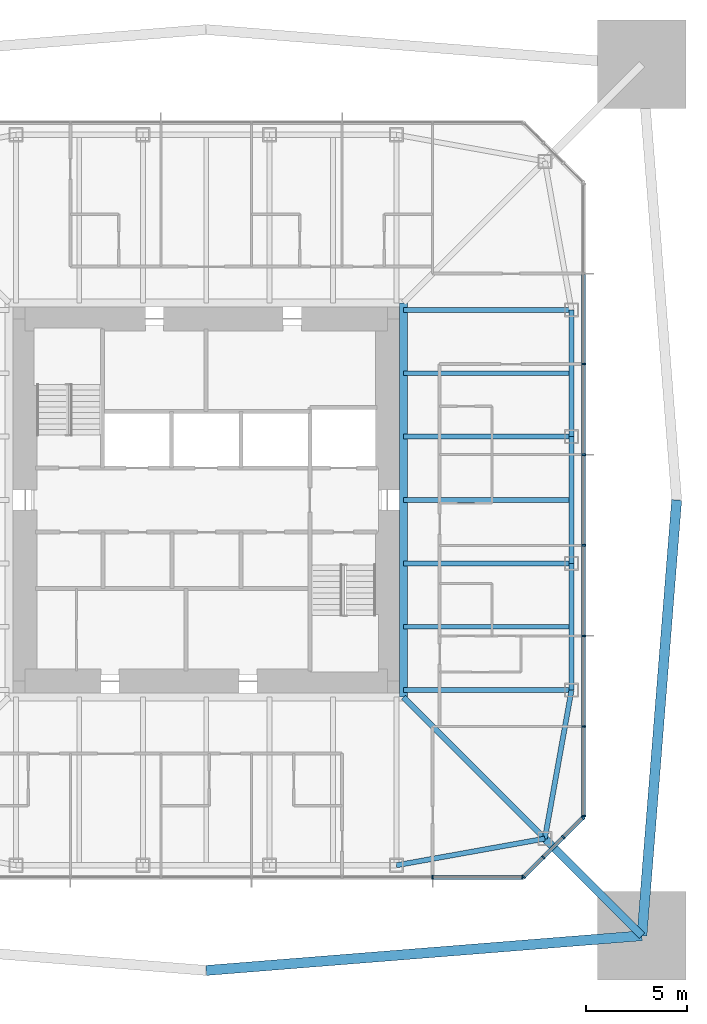
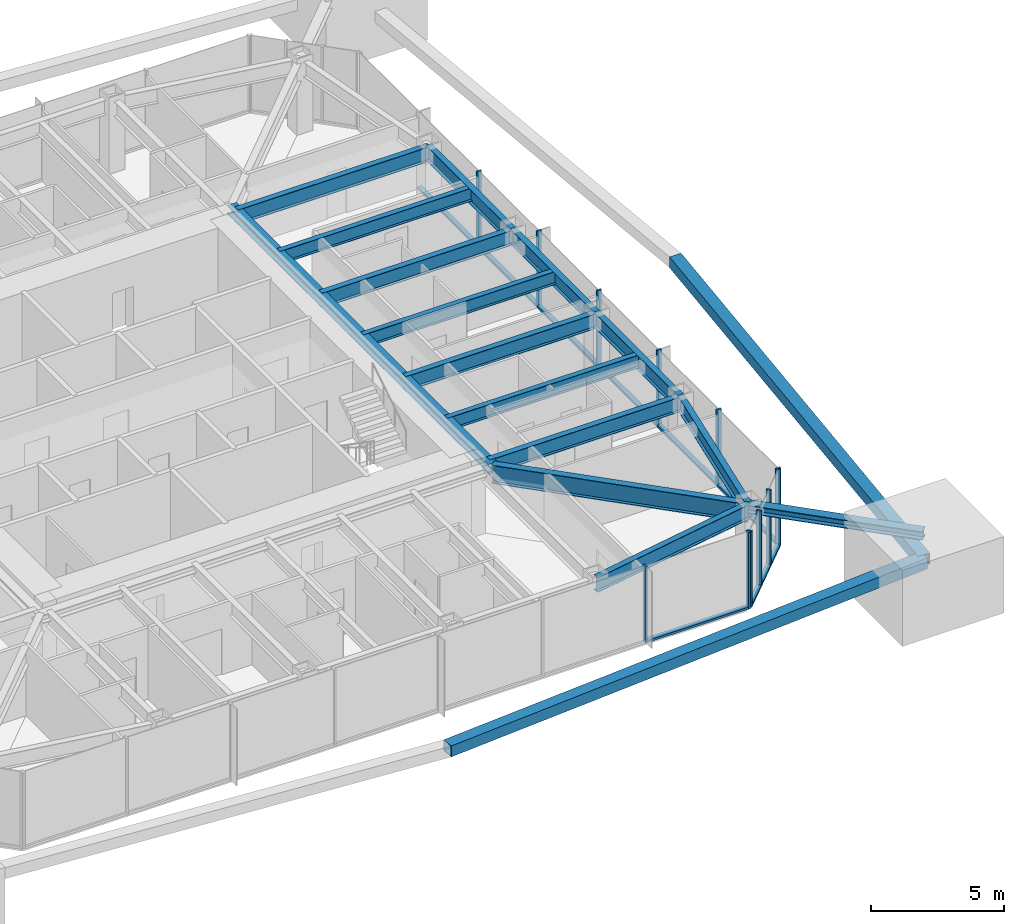
# One storey, part 4 of 13: 25 members, 14 beams, 3 elements without a shape of their own.
"""IFC4 building model written with IfcOpenShell, lengths in metres."""

import ifcopenshell
import ifcopenshell.guid

model = None  # the IFC model being written
_history = None  # IfcOwnerHistory: only IFC2X3 demands one
_inside = {}  # id of a spatial element -> (the spatial element, [elements in it])
_under = {}  # id of a project, library or spatial element -> (it, [spatial elements below it])
_declared = {}  # id of a project -> (the project, [libraries it declares])
_typed = {}  # id of a type object -> (the type object, [elements of that type])
_made_of = {}  # id of a material, layer set ... -> (it, [elements and type objects made of it])


def new_model(schema):
    """Start an empty IFC model of exactly this schema.

    Asked for "IFC4X3", IfcOpenShell would pick the latest addendum, in which some entities
    have other attributes; the version numbers below select the first issue.
    IFC2X3 requires an IfcOwnerHistory on every rooted entity: one is made here for all.
    """
    global model, _history
    if schema == "IFC4X3":
        model = ifcopenshell.file(schema_version=(4, 3, 0, 0))
    else:
        model = ifcopenshell.file(schema=schema)
    _inside.clear()
    _under.clear()
    _declared.clear()
    _typed.clear()
    _made_of.clear()
    _history = None
    if model.schema == "IFC2X3":
        org = make("IfcOrganization", Name="unknown")
        user = make(
            "IfcPersonAndOrganization",
            ThePerson=make("IfcPerson", FamilyName="unknown"),
            TheOrganization=org,
        )
        app = make(
            "IfcApplication",
            ApplicationDeveloper=org,
            Version="unknown",
            ApplicationFullName="unknown",
            ApplicationIdentifier="unknown",
        )
        _history = make(
            "IfcOwnerHistory",
            OwningUser=user,
            OwningApplication=app,
            ChangeAction="ADDED",
            CreationDate=0,
        )
    return model


def make(cls, **values):
    """One entity of the class cls with the attributes given. An attribute that is None is left unset."""
    return model.create_entity(
        cls, **{name: value for name, value in values.items() if value is not None}
    )


def rooted(cls, **values):
    """An entity with a GlobalId (a new one), such as an element, a storey or a relation."""
    return make(cls, GlobalId=ifcopenshell.guid.new(), OwnerHistory=_history, **values)


def si_unit(unit_type, name, prefix=None):
    """IfcSIUnit, for example si_unit("LENGTHUNIT", "METRE", prefix="MILLI")."""
    return make("IfcSIUnit", UnitType=unit_type, Prefix=prefix, Name=name)


def assignment(units):
    """IfcUnitAssignment: the units of a project."""
    return None if units is None else make("IfcUnitAssignment", Units=units)


def point(xyz):
    """IfcCartesianPoint."""
    return None if xyz is None else make("IfcCartesianPoint", Coordinates=xyz)


def direction(xyz):
    """IfcDirection."""
    return None if xyz is None else make("IfcDirection", DirectionRatios=xyz)


def frame(location, z_axis=None, x_axis=None):
    """IfcAxis2Placement3D, a coordinate frame: its origin and axes. An axis left out is left unset."""
    return make(
        "IfcAxis2Placement3D",
        Location=point(location),
        Axis=direction(z_axis),
        RefDirection=direction(x_axis),
    )


def frame_2d(location, x_axis=None):
    """IfcAxis2Placement2D, a coordinate frame in the plane: its origin and x axis."""
    return make(
        "IfcAxis2Placement2D", Location=point(location), RefDirection=direction(x_axis)
    )


def origin():
    """The frame at (0, 0, 0) with its axes left unset."""
    return frame((0.0, 0.0, 0.0))


def origin_2d():
    """The frame at (0, 0) in the plane with its x axis left unset."""
    return frame_2d((0.0, 0.0))


def place(relative_to, where):
    """IfcLocalPlacement: puts the frame where relative to a parent placement (None: the world)."""
    return make(
        "IfcLocalPlacement", PlacementRelTo=relative_to, RelativePlacement=where
    )


def context(
    kind, dimensions, precision=None, world=None, true_north=None, identifier=None
):
    """IfcGeometricRepresentationContext, for example the 3D "Model" context."""
    return make(
        "IfcGeometricRepresentationContext",
        ContextIdentifier=identifier,
        ContextType=kind,
        CoordinateSpaceDimension=dimensions,
        Precision=precision,
        WorldCoordinateSystem=world,
        TrueNorth=true_north,
    )


def subcontext(parent, identifier, kind, view, scale=None):
    """IfcGeometricRepresentationSubContext, for example "Body" below "Model"."""
    return make(
        "IfcGeometricRepresentationSubContext",
        ContextIdentifier=identifier,
        ContextType=kind,
        ParentContext=parent,
        TargetScale=scale,
        TargetView=view,
    )


def project(units=None, contexts=None):
    """IfcProject with its units and contexts."""
    return rooted(
        "IfcProject",
        Name="project",
        RepresentationContexts=contexts,
        UnitsInContext=assignment(units),
    )


def spatial(cls, under=None, at=None, **own):
    """A site, building, storey or space (cls), placed at a placement, below another one or the project."""
    s = rooted(cls, ObjectPlacement=at, **own)
    if under is not None:
        _under.setdefault(under.id(), (under, []))[1].append(s)
    return s


def profile(cls, at=None, kind="AREA", **sizes):
    """A parametric profile (cls). Its sizes go by their IFC names, for example OverallWidth=200.0."""
    return make(cls, ProfileType=kind, Position=at, **sizes)


def rectangle(**sizes):
    """IfcRectangleProfileDef."""
    return profile("IfcRectangleProfileDef", **sizes)


def hollow_rectangle(**sizes):
    """IfcRectangleHollowProfileDef."""
    return profile("IfcRectangleHollowProfileDef", **sizes)


def i_section(**sizes):
    """IfcIShapeProfileDef."""
    return profile("IfcIShapeProfileDef", **sizes)


def extrude(swept, where, along, depth):
    """IfcExtrudedAreaSolid: the profile swept, set in the frame where, extruded along a direction by depth."""
    return make(
        "IfcExtrudedAreaSolid",
        SweptArea=swept,
        Position=where,
        ExtrudedDirection=direction(along),
        Depth=depth,
    )


def shape(context_of_items, identifier, shape_type, items):
    """IfcShapeRepresentation: the items that make up one representation, for example the "Body"."""
    return make(
        "IfcShapeRepresentation",
        ContextOfItems=context_of_items,
        RepresentationIdentifier=identifier,
        RepresentationType=shape_type,
        Items=items,
    )


def material(Name=None, Category=None):
    """IfcMaterial."""
    return make("IfcMaterial", Name=Name, Category=Category)


def material_profile(
    of_material, cross_section, Name=None, Category=None, Priority=None
):
    """IfcMaterialProfile: a cross section and its material."""
    return make(
        "IfcMaterialProfile",
        Name=Name,
        Material=of_material,
        Profile=cross_section,
        Priority=Priority,
        Category=Category,
    )


def profile_set(profiles, Name=None, composite=None):
    """IfcMaterialProfileSet."""
    return make(
        "IfcMaterialProfileSet",
        Name=Name,
        MaterialProfiles=profiles,
        CompositeProfile=composite,
    )


def made_of(thing, what):
    """Note that an element or type object is made of a material, layer set ...; save() writes the relation."""
    if what is not None:
        _made_of.setdefault(what.id(), (what, []))[1].append(thing)
    return thing


def type_object(cls, material=None, **own):
    """A type object (cls), such as IfcWallType, which elements share."""
    return made_of(rooted(cls, **own), material)


def element(
    cls,
    number,
    at=None,
    inside=None,
    cuts=None,
    type_object=None,
    material=None,
    context=None,
    identifier="Body",
    shape_type=None,
    held_by="IfcProductDefinitionShape",
    body=None,
    shapes=None,
    **own,
):
    """One element of the class cls, such as IfcWall. Its Tag is "e" and its number.

    at: its placement. inside: the storey or other place that contains it. cuts: it is an
    opening in that element (IfcRelVoidsElement). A single representation is given by context,
    identifier, shape_type and body (its items); several are given by shapes. held_by: the class
    of the entity that holds the representations. save() writes the other relations.
    """
    e = rooted(cls, Tag="e%d" % number, ObjectPlacement=at, **own)
    if body is not None:
        shapes = [shape(context, identifier, shape_type, body)]
    if shapes is not None:
        e.Representation = make(held_by, Representations=shapes)
    if inside is not None:
        _inside.setdefault(inside.id(), (inside, []))[1].append(e)
    if cuts is not None:
        rooted(
            "IfcRelVoidsElement", RelatingBuildingElement=cuts, RelatedOpeningElement=e
        )
    if type_object is not None:
        _typed.setdefault(type_object.id(), (type_object, []))[1].append(e)
    return made_of(e, material)


def aggregate(whole, parts):
    """IfcRelAggregates: a whole, such as a stair, and the parts it consists of."""
    return rooted("IfcRelAggregates", RelatingObject=whole, RelatedObjects=parts)


def save(model, path):
    """Write the relations noted so far, then the file.

    IfcRelAggregates (storeys below a building ...), IfcRelContainedInSpatialStructure (elements
    in a storey), IfcRelDefinesByType, IfcRelAssociatesMaterial and IfcRelDeclares: one each for
    every whole, place, type object, material and project.
    """
    for whole, parts in _under.values():
        aggregate(whole, parts)
    for where, things in _inside.values():
        rooted(
            "IfcRelContainedInSpatialStructure",
            RelatedElements=things,
            RelatingStructure=where,
        )
    for kind, things in _typed.values():
        rooted("IfcRelDefinesByType", RelatedObjects=things, RelatingType=kind)
    for what, things in _made_of.values():
        rooted("IfcRelAssociatesMaterial", RelatedObjects=things, RelatingMaterial=what)
    for by, libraries in _declared.values():
        rooted("IfcRelDeclares", RelatingContext=by, RelatedDefinitions=libraries)
    model.write(path)


model = new_model("IFC4")

# Units and contexts
model_context = context("Model", 3, precision=1e-05, world=origin(), true_north=direction((0.0, 1.0)))
body_context = subcontext(model_context, "Body", "Model", "MODEL_VIEW")
ifc_project = project(units=[si_unit("LENGTHUNIT", "METRE"), si_unit("AREAUNIT", "SQUARE_METRE"), si_unit("VOLUMEUNIT", "CUBIC_METRE"), si_unit("PLANEANGLEUNIT", "RADIAN"), si_unit("MASSUNIT", "GRAM", prefix="KILO")], contexts=[model_context])

# Site, building, storey
site_placement = place(None, origin())
site = spatial("IfcSite", under=ifc_project, at=site_placement, CompositionType="ELEMENT")
building_placement = place(site_placement, origin())
building = spatial("IfcBuilding", under=site, at=building_placement, Name="Iwan Alto Co-Living Towers", CompositionType="ELEMENT")
storey_placement = place(building_placement, frame((0.0, 0.0, 160.0)))
storey = spatial("IfcBuildingStorey", under=building, at=storey_placement, Name="L43", CompositionType="ELEMENT", Elevation=160.0)

# Curtain wall, members
ifc_material_1 = material(Name="Bronze aluminium unitised frame", Category="aluminium")
curtain_wall_type_1 = type_object("IfcCurtainWallType", Name="CURTAIN WALL CW-A", PredefinedType="NOTDEFINED", material=ifc_material_1)
curtain_wall_1_placement = place(storey_placement, origin())
curtain_wall_1 = element("IfcCurtainWall", 1, at=curtain_wall_1_placement, inside=storey, type_object=curtain_wall_type_1, Name="T1 curtain wall S L43", PredefinedType="NOTDEFINED")
ifc_material_2 = material(Name="Aluminium 6063-T6 bronze anodised", Category="aluminium")
ifc_material_profile_1 = material_profile(ifc_material_2, rectangle(XDim=0.199951171875, YDim=0.080078125, at=origin_2d()), Name="AL 80X200")
ifc_profile_set_1 = profile_set([ifc_material_profile_1], Name="Aluminium 6063-T6 bronze anodised")
member_type_1 = type_object("IfcMemberType", Name="CW-A MULLION 80X200", PredefinedType="MULLION", material=ifc_profile_set_1)
member_1_placement = place(storey_placement, frame((11.25, -18.75, 0.0), z_axis=(0.0, 0.0, 1.0), x_axis=(0.0, 1.0, 0.0)))
member_1 = element("IfcMember", 2, at=member_1_placement, type_object=member_type_1, Name="CW-A mullion 7", PredefinedType="MULLION", context=body_context, shape_type="SweptSolid", body=[
    extrude(rectangle(XDim=0.199951171875, YDim=0.080078125, at=origin_2d()), origin(), (0.0, 0.0, 1.0), 3.5),
])
member_2_placement = place(storey_placement, frame((15.7099609375, -18.75, 0.0), z_axis=(0.0, 0.0, 1.0), x_axis=(0.0, 1.0, 0.0)))
member_2 = element("IfcMember", 3, at=member_2_placement, type_object=member_type_1, Name="CW-A mullion 8", PredefinedType="MULLION", context=body_context, shape_type="SweptSolid", body=[
    extrude(rectangle(XDim=0.199951171875, YDim=0.080078125, at=origin_2d()), origin(), (0.0, 0.0, 1.0), 3.5),
])

curtain_wall_2_placement = place(storey_placement, origin())
curtain_wall_2 = element("IfcCurtainWall", 4, at=curtain_wall_2_placement, inside=storey, type_object=curtain_wall_type_1, Name="T1 curtain wall E L43", PredefinedType="NOTDEFINED")
member_3_placement = place(storey_placement, frame((18.75, -15.7099609375, 0.0), z_axis=(0.0, 0.0, 1.0), x_axis=(-1.0, 0.0, 0.0)))
member_3 = element("IfcMember", 5, at=member_3_placement, type_object=member_type_1, Name="CW-A mullion 1", PredefinedType="MULLION", context=body_context, shape_type="SweptSolid", body=[
    extrude(rectangle(XDim=0.199951171875, YDim=0.080078125, at=origin_2d()), origin(), (0.0, 0.0, 1.0), 3.5),
])
member_4_placement = place(storey_placement, frame((18.75, -11.25, 0.0), z_axis=(0.0, 0.0, 1.0), x_axis=(-1.0, 0.0, 0.0)))
member_4 = element("IfcMember", 6, at=member_4_placement, type_object=member_type_1, Name="CW-A mullion 2", PredefinedType="MULLION", context=body_context, shape_type="SweptSolid", body=[
    extrude(rectangle(XDim=0.199951171875, YDim=0.080078125, at=origin_2d()), origin(), (0.0, 0.0, 1.0), 3.5),
])
member_5_placement = place(storey_placement, frame((18.75, -6.75, 0.0), z_axis=(0.0, 0.0, 1.0), x_axis=(-1.0, 0.0, 0.0)))
member_5 = element("IfcMember", 7, at=member_5_placement, type_object=member_type_1, Name="CW-A mullion 3", PredefinedType="MULLION", context=body_context, shape_type="SweptSolid", body=[
    extrude(rectangle(XDim=0.199951171875, YDim=0.080078125, at=origin_2d()), origin(), (0.0, 0.0, 1.0), 3.5),
])
member_6_placement = place(storey_placement, frame((18.75, -2.25, 0.0), z_axis=(0.0, 0.0, 1.0), x_axis=(-1.0, 0.0, 0.0)))
member_6 = element("IfcMember", 8, at=member_6_placement, type_object=member_type_1, Name="CW-A mullion 4", PredefinedType="MULLION", context=body_context, shape_type="SweptSolid", body=[
    extrude(rectangle(XDim=0.199951171875, YDim=0.080078125, at=origin_2d()), origin(), (0.0, 0.0, 1.0), 3.5),
])
member_7_placement = place(storey_placement, frame((18.75, 2.25, 0.0), z_axis=(0.0, 0.0, 1.0), x_axis=(-1.0, 0.0, 0.0)))
member_7 = element("IfcMember", 9, at=member_7_placement, type_object=member_type_1, Name="CW-A mullion 5", PredefinedType="MULLION", context=body_context, shape_type="SweptSolid", body=[
    extrude(rectangle(XDim=0.199951171875, YDim=0.080078125, at=origin_2d()), origin(), (0.0, 0.0, 1.0), 3.5),
])
member_8_placement = place(storey_placement, frame((18.75, 6.75, 0.0), z_axis=(0.0, 0.0, 1.0), x_axis=(-1.0, 0.0, 0.0)))
member_8 = element("IfcMember", 10, at=member_8_placement, type_object=member_type_1, Name="CW-A mullion 6", PredefinedType="MULLION", context=body_context, shape_type="SweptSolid", body=[
    extrude(rectangle(XDim=0.199951171875, YDim=0.080078125, at=origin_2d()), origin(), (0.0, 0.0, 1.0), 3.5),
])

# Member
ifc_material_3 = material(Name="Aluminium 6063-T6 bronze anodised", Category="aluminium")
ifc_material_profile_2 = material_profile(ifc_material_3, rectangle(XDim=0.199951171875, YDim=0.10009765625, at=origin_2d()), Name="AL 200X100")
ifc_profile_set_2 = profile_set([ifc_material_profile_2], Name="Aluminium 6063-T6 bronze anodised")
member_type_2 = type_object("IfcMemberType", Name="CW-A TRANSOM 200X100", PredefinedType="USERDEFINED", material=ifc_profile_set_2)
member_9_placement = place(storey_placement, frame((11.2900390625, -18.75, 0.050048828125), z_axis=(1.0, 0.0, 0.0), x_axis=(0.0, 1.0, 0.0)))
member_9 = element("IfcMember", 11, at=member_9_placement, type_object=member_type_2, Name="CW-A transom 7.1", ObjectType="TRANSOM", PredefinedType="USERDEFINED", context=body_context, shape_type="SweptSolid", body=[
    extrude(rectangle(XDim=0.199951171875, YDim=0.10009765625, at=origin_2d()), origin(), (0.0, 0.0, 1.0), 4.3798828125),
])

aggregate(curtain_wall_1, [member_1, member_2, member_9])

member_10_placement = place(storey_placement, frame((18.75, -15.669921875, 0.050048828125), z_axis=(0.0, 1.0, 0.0), x_axis=(-1.0, 0.0, 0.0)))
member_10 = element("IfcMember", 12, at=member_10_placement, type_object=member_type_2, Name="CW-A transom 1.1", ObjectType="TRANSOM", PredefinedType="USERDEFINED", context=body_context, shape_type="SweptSolid", body=[
    extrude(rectangle(XDim=0.199951171875, YDim=0.10009765625, at=origin_2d()), origin(), (0.0, 0.0, 1.0), 4.3798828125),
])

member_11_placement = place(storey_placement, frame((18.75, -11.2099609375, 0.050048828125), z_axis=(0.0, 1.0, 0.0), x_axis=(-1.0, 0.0, 0.0)))
member_11 = element("IfcMember", 13, at=member_11_placement, type_object=member_type_2, Name="CW-A transom 2.1", ObjectType="TRANSOM", PredefinedType="USERDEFINED", context=body_context, shape_type="SweptSolid", body=[
    extrude(rectangle(XDim=0.199951171875, YDim=0.10009765625, at=origin_2d()), origin(), (0.0, 0.0, 1.0), 4.419921875),
])

member_12_placement = place(storey_placement, frame((18.75, -6.7099609375, 0.050048828125), z_axis=(0.0, 1.0, 0.0), x_axis=(-1.0, 0.0, 0.0)))
member_12 = element("IfcMember", 14, at=member_12_placement, type_object=member_type_2, Name="CW-A transom 3.1", ObjectType="TRANSOM", PredefinedType="USERDEFINED", context=body_context, shape_type="SweptSolid", body=[
    extrude(rectangle(XDim=0.199951171875, YDim=0.10009765625, at=origin_2d()), origin(), (0.0, 0.0, 1.0), 4.419921875),
])

member_13_placement = place(storey_placement, frame((18.75, -2.2099609375, 0.050048828125), z_axis=(0.0, 1.0, 0.0), x_axis=(-1.0, 0.0, 0.0)))
member_13 = element("IfcMember", 15, at=member_13_placement, type_object=member_type_2, Name="CW-A transom 4.1", ObjectType="TRANSOM", PredefinedType="USERDEFINED", context=body_context, shape_type="SweptSolid", body=[
    extrude(rectangle(XDim=0.199951171875, YDim=0.10009765625, at=origin_2d()), origin(), (0.0, 0.0, 1.0), 4.419921875),
])

member_14_placement = place(storey_placement, frame((18.75, 2.2900390625, 0.050048828125), z_axis=(0.0, 1.0, 0.0), x_axis=(-1.0, 0.0, 0.0)))
member_14 = element("IfcMember", 16, at=member_14_placement, type_object=member_type_2, Name="CW-A transom 5.1", ObjectType="TRANSOM", PredefinedType="USERDEFINED", context=body_context, shape_type="SweptSolid", body=[
    extrude(rectangle(XDim=0.199951171875, YDim=0.10009765625, at=origin_2d()), origin(), (0.0, 0.0, 1.0), 4.419921875),
])

member_15_placement = place(storey_placement, frame((18.75, 6.7900390625, 0.050048828125), z_axis=(0.0, 1.0, 0.0), x_axis=(-1.0, 0.0, 0.0)))
member_15 = element("IfcMember", 17, at=member_15_placement, type_object=member_type_2, Name="CW-A transom 6.1", ObjectType="TRANSOM", PredefinedType="USERDEFINED", context=body_context, shape_type="SweptSolid", body=[
    extrude(rectangle(XDim=0.199951171875, YDim=0.10009765625, at=origin_2d()), origin(), (0.0, 0.0, 1.0), 4.419921875),
])

aggregate(curtain_wall_2, [member_3, member_4, member_5, member_6, member_7, member_8, member_10, member_11, member_12, member_13, member_14, member_15])

# Curtain wall, members
ifc_material_4 = material(Name="Bronze aluminium unitised frame", Category="aluminium")
curtain_wall_type_2 = type_object("IfcCurtainWallType", Name="CURTAIN WALL CW-B", PredefinedType="NOTDEFINED", material=ifc_material_4)
curtain_wall_3_placement = place(storey_placement, origin())
curtain_wall_3 = element("IfcCurtainWall", 18, at=curtain_wall_3_placement, inside=storey, type_object=curtain_wall_type_2, Name="T1 chamfer curtain wall SE L43", PredefinedType="NOTDEFINED")
ifc_material_5 = material(Name="Aluminium 6063-T6 bronze anodised", Category="aluminium")
ifc_material_profile_3 = material_profile(ifc_material_5, rectangle(XDim=0.199951171875, YDim=0.080078125, at=origin_2d()), Name="AL 80X200")
ifc_profile_set_3 = profile_set([ifc_material_profile_3], Name="Aluminium 6063-T6 bronze anodised")
member_type_3 = type_object("IfcMemberType", Name="CW-B MULLION 80X200", PredefinedType="MULLION", material=ifc_profile_set_3)
member_16_placement = place(storey_placement, frame((15.7783203125, -18.7216796875, 0.0), z_axis=(0.0, 0.0, 1.0), x_axis=(-0.707106781187, 0.707106781187, 0.0)))
member_16 = element("IfcMember", 19, at=member_16_placement, type_object=member_type_3, Name="CW-B mullion 1", PredefinedType="MULLION", context=body_context, shape_type="SweptSolid", body=[
    extrude(rectangle(XDim=0.199951171875, YDim=0.080078125, at=origin_2d()), origin(), (0.0, 0.0, 1.0), 3.5),
])
member_17_placement = place(storey_placement, frame((16.75, -17.75, 0.0), z_axis=(0.0, 0.0, 1.0), x_axis=(-0.707106781187, 0.707106781187, 0.0)))
member_17 = element("IfcMember", 20, at=member_17_placement, type_object=member_type_3, Name="CW-B mullion 2", PredefinedType="MULLION", context=body_context, shape_type="SweptSolid", body=[
    extrude(rectangle(XDim=0.199951171875, YDim=0.080078125, at=origin_2d()), origin(), (0.0, 0.0, 1.0), 3.5),
])
member_18_placement = place(storey_placement, frame((17.75, -16.75, 0.0), z_axis=(0.0, 0.0, 1.0), x_axis=(-0.707106781187, 0.707106781187, 0.0)))
member_18 = element("IfcMember", 21, at=member_18_placement, type_object=member_type_3, Name="CW-B mullion 3", PredefinedType="MULLION", context=body_context, shape_type="SweptSolid", body=[
    extrude(rectangle(XDim=0.199951171875, YDim=0.080078125, at=origin_2d()), origin(), (0.0, 0.0, 1.0), 3.5),
])
member_19_placement = place(storey_placement, frame((18.7216796875, -15.7783203125, 0.0), z_axis=(0.0, 0.0, 1.0), x_axis=(-0.707106781187, 0.707106781187, 0.0)))
member_19 = element("IfcMember", 22, at=member_19_placement, type_object=member_type_3, Name="CW-B mullion 4", PredefinedType="MULLION", context=body_context, shape_type="SweptSolid", body=[
    extrude(rectangle(XDim=0.199951171875, YDim=0.080078125, at=origin_2d()), origin(), (0.0, 0.0, 1.0), 3.5),
])
ifc_material_6 = material(Name="Aluminium 6063-T6 bronze anodised", Category="aluminium")
ifc_material_profile_4 = material_profile(ifc_material_6, rectangle(XDim=0.199951171875, YDim=0.10009765625, at=origin_2d()), Name="AL 200X100")
ifc_profile_set_4 = profile_set([ifc_material_profile_4], Name="Aluminium 6063-T6 bronze anodised")
member_type_4 = type_object("IfcMemberType", Name="CW-B TRANSOM 200X100", PredefinedType="USERDEFINED", material=ifc_profile_set_4)
member_20_placement = place(storey_placement, frame((15.806640625, -18.693359375, 0.050048828125), z_axis=(0.707106781187, 0.707106781187, 0.0), x_axis=(-0.707106781187, 0.707106781187, 0.0)))
member_20 = element("IfcMember", 23, at=member_20_placement, type_object=member_type_4, Name="CW-B transom 1.1", ObjectType="TRANSOM", PredefinedType="USERDEFINED", context=body_context, shape_type="SweptSolid", body=[
    extrude(rectangle(XDim=0.199951171875, YDim=0.10009765625, at=origin_2d()), origin(), (0.0, 0.0, 1.0), 1.2939453125),
])
member_21_placement = place(storey_placement, frame((16.7783203125, -17.7216796875, 0.050048828125), z_axis=(0.707106781187, 0.707106781187, 0.0), x_axis=(-0.707106781187, 0.707106781187, 0.0)))
member_21 = element("IfcMember", 24, at=member_21_placement, type_object=member_type_4, Name="CW-B transom 2.1", ObjectType="TRANSOM", PredefinedType="USERDEFINED", context=body_context, shape_type="SweptSolid", body=[
    extrude(rectangle(XDim=0.199951171875, YDim=0.10009765625, at=origin_2d()), origin(), (0.0, 0.0, 1.0), 1.334228515625),
])
member_22_placement = place(storey_placement, frame((17.7783203125, -16.7216796875, 0.050048828125), z_axis=(0.707106781187, 0.707106781187, 0.0), x_axis=(-0.707106781187, 0.707106781187, 0.0)))
member_22 = element("IfcMember", 25, at=member_22_placement, type_object=member_type_4, Name="CW-B transom 3.1", ObjectType="TRANSOM", PredefinedType="USERDEFINED", context=body_context, shape_type="SweptSolid", body=[
    extrude(rectangle(XDim=0.199951171875, YDim=0.10009765625, at=origin_2d()), origin(), (0.0, 0.0, 1.0), 1.2939453125),
])
aggregate(curtain_wall_3, [member_16, member_17, member_18, member_19, member_20, member_21, member_22])

# Beams
ifc_material_7 = material(Name="Steel ASTM A992 Gr 50", Category="steel")
ifc_material_profile_5 = material_profile(ifc_material_7, i_section(OverallWidth=0.398681640625, OverallDepth=0.385986328125, WebThickness=0.02099609375, FlangeThickness=0.033203125, at=origin_2d()), Name="W14X176")
ifc_profile_set_5 = profile_set([ifc_material_profile_5], Name="Steel ASTM A992 Gr 50")
beam_type_1 = type_object("IfcBeamType", Name="T1 CORE LEDGER BEAM W14X176", PredefinedType="BEAM", material=ifc_profile_set_5)
beam_1_placement = place(storey_placement, frame((9.79931640625, -9.79931640625, 3.076904296875), z_axis=(0.0, 1.0, 0.0), x_axis=(-1.0, 0.0, 0.0)))
element("IfcBeam", 26, at=beam_1_placement, inside=storey, type_object=beam_type_1, Name="T1 core ledger beam E L44", PredefinedType="BEAM", context=body_context, shape_type="SweptSolid", body=[
    extrude(i_section(OverallWidth=0.398681640625, OverallDepth=0.385986328125, WebThickness=0.02099609375, FlangeThickness=0.033203125, at=origin_2d()), origin(), (0.0, 0.0, 1.0), 19.5986328125),
])
ifc_material_8 = material(Name="Steel ASTM A992 Gr 50", Category="steel")
ifc_material_profile_6 = material_profile(ifc_material_8, i_section(OverallWidth=0.2919921875, OverallDepth=0.8408203125, WebThickness=0.0146484375, FlangeThickness=0.021728515625, at=origin_2d()), Name="W33X130")
ifc_profile_set_6 = profile_set([ifc_material_profile_6], Name="Steel ASTM A992 Gr 50")
beam_type_2 = type_object("IfcBeamType", Name="T1 CORNER GIRDER W33X130", PredefinedType="BEAM", material=ifc_profile_set_6)
beam_2_placement = place(storey_placement, frame((16.82568359375, -16.82568359375, 2.849609375), z_axis=(-0.707106781187, 0.707106781187, 0.0), x_axis=(-0.707106781187, -0.707106781187, 0.0)))
element("IfcBeam", 27, at=beam_2_placement, inside=storey, type_object=beam_type_2, Name="T1 corner girder CSE L44", PredefinedType="BEAM", context=body_context, shape_type="SweptSolid", body=[
    extrude(i_section(OverallWidth=0.2919921875, OverallDepth=0.8408203125, WebThickness=0.0146484375, FlangeThickness=0.021728515625, at=origin_2d()), origin(), (0.0, 0.0, 1.0), 9.936767578125),
])
ifc_material_9 = material(Name="Steel ASTM A992 Gr 50", Category="steel")
ifc_material_profile_7 = material_profile(ifc_material_9, i_section(OverallWidth=0.25390625, OverallDepth=0.683349609375, WebThickness=0.012451171875, FlangeThickness=0.018798828125, at=origin_2d()), Name="W27X94")
ifc_profile_set_7 = profile_set([ifc_material_profile_7], Name="Steel ASTM A992 Gr 50")
beam_type_3 = type_object("IfcBeamType", Name="T1 EDGE BEAM W27X94", PredefinedType="BEAM", material=ifc_profile_set_7)
for number, where, z_axis, x_axis, name in (
    (28, (9.449951171875, -18.14990234375, 2.928466796875), (0.98426263553, 0.17671181143, 0.0), (-0.17671181143, 0.98426263553, 0.0), "T1 edge beam S4 L44"),
    (29, (16.82568359375, -16.82568359375, 2.928466796875), (0.17671181143, 0.98426263553, 0.0), (-0.98426263553, 0.17671181143, 0.0), "T1 edge beam CSE L44"),
):
    element("IfcBeam", number, at=place(storey_placement, frame(where, z_axis=z_axis, x_axis=x_axis)), inside=storey, type_object=beam_type_3, Name=name, PredefinedType="BEAM", context=body_context, shape_type="SweptSolid", body=[
        extrude(i_section(OverallWidth=0.25390625, OverallDepth=0.683349609375, WebThickness=0.012451171875, FlangeThickness=0.018798828125, at=origin_2d()), origin(), (0.0, 0.0, 1.0), 7.49365234375),
    ])
beam_3_placement = place(storey_placement, frame((18.14990234375, -9.449951171875, 2.928466796875), z_axis=(0.0, 1.0, 0.0), x_axis=(-1.0, 0.0, 0.0)))
element("IfcBeam", 30, at=beam_3_placement, inside=storey, type_object=beam_type_3, Name="T1 edge beam E1 L44", PredefinedType="BEAM", context=body_context, shape_type="SweptSolid", body=[
    extrude(i_section(OverallWidth=0.25390625, OverallDepth=0.683349609375, WebThickness=0.012451171875, FlangeThickness=0.018798828125, at=origin_2d()), origin(), (0.0, 0.0, 1.0), 6.300048828125),
])
beam_4_placement = place(storey_placement, frame((18.14990234375, -3.14990234375, 2.928466796875), z_axis=(0.0, 1.0, 0.0), x_axis=(-1.0, 0.0, 0.0)))
element("IfcBeam", 31, at=beam_4_placement, inside=storey, type_object=beam_type_3, Name="T1 edge beam E2 L44", PredefinedType="BEAM", context=body_context, shape_type="SweptSolid", body=[
    extrude(i_section(OverallWidth=0.25390625, OverallDepth=0.683349609375, WebThickness=0.012451171875, FlangeThickness=0.018798828125, at=origin_2d()), origin(), (0.0, 0.0, 1.0), 6.2998046875),
])
beam_5_placement = place(storey_placement, frame((18.14990234375, 3.14990234375, 2.928466796875), z_axis=(0.0, 1.0, 0.0), x_axis=(-1.0, 0.0, 0.0)))
element("IfcBeam", 32, at=beam_5_placement, inside=storey, type_object=beam_type_3, Name="T1 edge beam E3 L44", PredefinedType="BEAM", context=body_context, shape_type="SweptSolid", body=[
    extrude(i_section(OverallWidth=0.25390625, OverallDepth=0.683349609375, WebThickness=0.012451171875, FlangeThickness=0.018798828125, at=origin_2d()), origin(), (0.0, 0.0, 1.0), 6.300048828125),
])

# Members
ifc_material_10 = material(Name="Steel ASTM A992 Gr 50", Category="steel")
ifc_material_profile_8 = material_profile(ifc_material_10, i_section(OverallWidth=0.393798828125, OverallDepth=0.3759765625, WebThickness=0.017333984375, FlangeThickness=0.027587890625, at=origin_2d()), Name="W14X145")
ifc_profile_set_8 = profile_set([ifc_material_profile_8], Name="Steel ASTM A992 Gr 50")
member_type_5 = type_object("IfcMemberType", Name="T1 MEGA COLUMN FLOOR TIE W14X145", PredefinedType="STRUT", material=ifc_profile_set_8)
member_23_placement = place(storey_placement, frame((21.64990234375, -21.64990234375, 3.08203125), z_axis=(-0.707106781187, 0.707106781187, 0.0), x_axis=(-0.707106781187, -0.707106781187, 0.0)))
element("IfcMember", 33, at=member_23_placement, inside=storey, type_object=member_type_5, Name="T1 mega column floor tie SE L44", PredefinedType="STRUT", context=body_context, shape_type="SweptSolid", body=[
    extrude(i_section(OverallWidth=0.393798828125, OverallDepth=0.3759765625, WebThickness=0.017333984375, FlangeThickness=0.027587890625, at=origin_2d()), origin(), (0.0, 0.0, 1.0), 6.822509765625),
])
ifc_material_11 = material(Name="Steel ASTM A572 Gr 50", Category="steel")
ifc_material_profile_9 = material_profile(ifc_material_11, hollow_rectangle(XDim=0.5, YDim=0.5, WallThickness=0.031982421875, at=origin_2d()), Name="BOX 500X500X32")
ifc_profile_set_9 = profile_set([ifc_material_profile_9], Name="Steel ASTM A572 Gr 50")
member_type_6 = type_object("IfcMemberType", Name="T1 MEGA TIE BOX 500X500X32", PredefinedType="STRUT", material=ifc_profile_set_9)
for number, where, z_axis, x_axis, name in (
    (34, (0.0, -23.37548828125, 1.85498046875), (0.996838682712, 0.07945212803, 0.0), (-0.07945212803, 0.996838682712, 0.0), "T1 mega tie Z3A S 2"),
    (35, (21.64990234375, -21.64990234375, 1.85498046875), (0.07945212803, 0.996838682712, 0.0), (-0.996838682712, 0.07945212803, 0.0), "T1 mega tie Z3A E 1"),
):
    element("IfcMember", number, at=place(storey_placement, frame(where, z_axis=z_axis, x_axis=x_axis)), inside=storey, type_object=member_type_6, Name=name, PredefinedType="STRUT", context=body_context, shape_type="SweptSolid", body=[
        extrude(hollow_rectangle(XDim=0.5, YDim=0.5, WallThickness=0.031982421875, at=origin_2d()), origin(), (0.0, 0.0, 1.0), 21.718505859375),
    ])

# Beams
ifc_material_12 = material(Name="Steel ASTM A992 Gr 50", Category="steel")
ifc_material_profile_10 = material_profile(ifc_material_12, i_section(OverallWidth=0.25390625, OverallDepth=0.683349609375, WebThickness=0.012451171875, FlangeThickness=0.018798828125, at=origin_2d()), Name="W27X94")
ifc_profile_set_10 = profile_set([ifc_material_profile_10], Name="Steel ASTM A992 Gr 50")
beam_type_4 = type_object("IfcBeamType", Name="T1 RADIAL BEAM W27X94", PredefinedType="BEAM", material=ifc_profile_set_10)
for number, where, z_axis, x_axis, name in (
    (36, (18.14990234375, -9.449951171875, 2.928466796875), (-1.0, 0.0, 0.0), (0.0, -1.0, 0.0), "T1 radial beam E1 L44"),
    (37, (18.14990234375, -3.14990234375, 2.928466796875), (-1.0, 0.0, 0.0), (0.0, -1.0, 0.0), "T1 radial beam E2 L44"),
    (38, (18.14990234375, 3.14990234375, 2.928466796875), (-1.0, 0.0, 0.0), (0.0, -1.0, 0.0), "T1 radial beam E3 L44"),
    (39, (18.14990234375, 9.449951171875, 2.928466796875), (-1.0, 0.0, 0.0), (0.0, -1.0, 0.0), "T1 radial beam E4 L44"),
):
    element("IfcBeam", number, at=place(storey_placement, frame(where, z_axis=z_axis, x_axis=x_axis)), inside=storey, type_object=beam_type_4, Name=name, PredefinedType="BEAM", context=body_context, shape_type="SweptSolid", body=[
        extrude(i_section(OverallWidth=0.25390625, OverallDepth=0.683349609375, WebThickness=0.012451171875, FlangeThickness=0.018798828125, at=origin_2d()), origin(), (0.0, 0.0, 1.0), 8.3505859375),
    ])
ifc_material_13 = material(Name="Steel ASTM A992 Gr 50", Category="steel")
ifc_material_profile_11 = material_profile(ifc_material_13, i_section(OverallWidth=0.228271484375, OverallDepth=0.607177734375, WebThickness=0.01123046875, FlangeThickness=0.017333984375, at=origin_2d()), Name="W24X76")
ifc_profile_set_11 = profile_set([ifc_material_profile_11], Name="Steel ASTM A992 Gr 50")
beam_type_5 = type_object("IfcBeamType", Name="T1 SECONDARY BEAM W24X76", PredefinedType="JOIST", material=ifc_profile_set_11)
for number, where, z_axis, x_axis, name in (
    (40, (18.14990234375, -6.300048828125, 2.966552734375), (-1.0, 0.0, 0.0), (0.0, -1.0, 0.0), "T1 secondary beam E1 L44"),
    (41, (18.14990234375, 0.0, 2.966552734375), (-1.0, 0.0, 0.0), (0.0, -1.0, 0.0), "T1 secondary beam E2 L44"),
    (42, (18.14990234375, 6.300048828125, 2.966552734375), (-1.0, 0.0, 0.0), (0.0, -1.0, 0.0), "T1 secondary beam E3 L44"),
):
    element("IfcBeam", number, at=place(storey_placement, frame(where, z_axis=z_axis, x_axis=x_axis)), inside=storey, type_object=beam_type_5, Name=name, PredefinedType="JOIST", context=body_context, shape_type="SweptSolid", body=[
        extrude(i_section(OverallWidth=0.228271484375, OverallDepth=0.607177734375, WebThickness=0.01123046875, FlangeThickness=0.017333984375, at=origin_2d()), origin(), (0.0, 0.0, 1.0), 8.3505859375),
    ])

save(model, "model.ifc")
